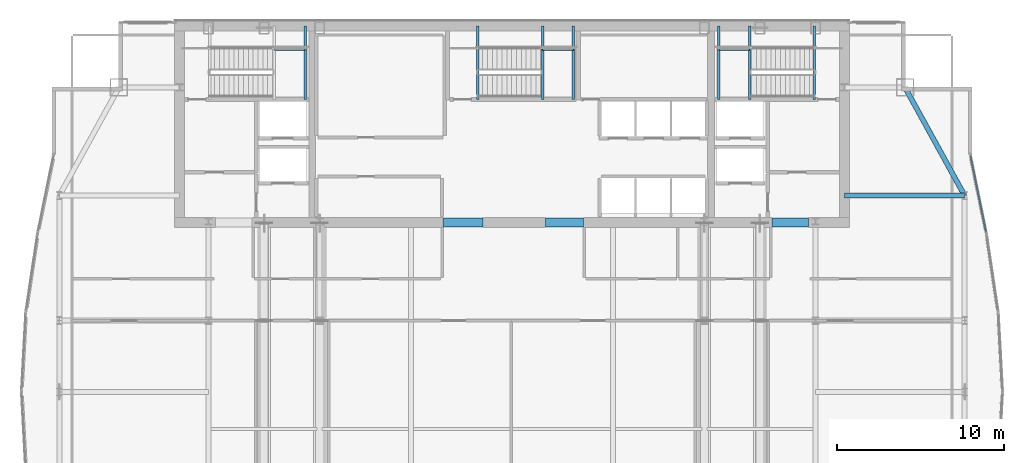
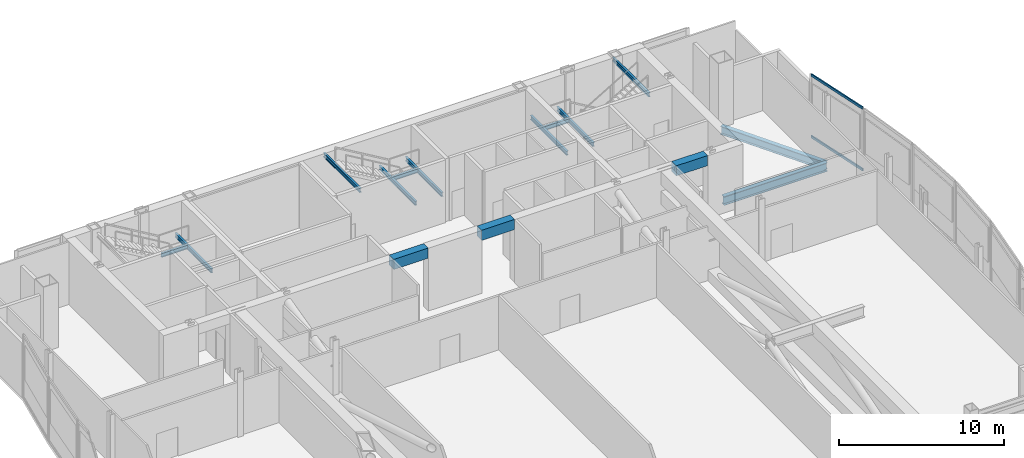
# One storey, part 24 of 32: 15 beams, 2 members, 1 element without a shape of its own.
"""IFC4 building model written with IfcOpenShell, lengths in metres."""

import ifcopenshell
import ifcopenshell.guid

model = None  # the IFC model being written
_history = None  # IfcOwnerHistory: only IFC2X3 demands one
_inside = {}  # id of a spatial element -> (the spatial element, [elements in it])
_under = {}  # id of a project, library or spatial element -> (it, [spatial elements below it])
_declared = {}  # id of a project -> (the project, [libraries it declares])
_typed = {}  # id of a type object -> (the type object, [elements of that type])
_made_of = {}  # id of a material, layer set ... -> (it, [elements and type objects made of it])


def new_model(schema):
    """Start an empty IFC model of exactly this schema.

    Asked for "IFC4X3", IfcOpenShell would pick the latest addendum, in which some entities
    have other attributes; the version numbers below select the first issue.
    IFC2X3 requires an IfcOwnerHistory on every rooted entity: one is made here for all.
    """
    global model, _history
    if schema == "IFC4X3":
        model = ifcopenshell.file(schema_version=(4, 3, 0, 0))
    else:
        model = ifcopenshell.file(schema=schema)
    _inside.clear()
    _under.clear()
    _declared.clear()
    _typed.clear()
    _made_of.clear()
    _history = None
    if model.schema == "IFC2X3":
        org = make("IfcOrganization", Name="unknown")
        user = make(
            "IfcPersonAndOrganization",
            ThePerson=make("IfcPerson", FamilyName="unknown"),
            TheOrganization=org,
        )
        app = make(
            "IfcApplication",
            ApplicationDeveloper=org,
            Version="unknown",
            ApplicationFullName="unknown",
            ApplicationIdentifier="unknown",
        )
        _history = make(
            "IfcOwnerHistory",
            OwningUser=user,
            OwningApplication=app,
            ChangeAction="ADDED",
            CreationDate=0,
        )
    return model


def make(cls, **values):
    """One entity of the class cls with the attributes given. An attribute that is None is left unset."""
    return model.create_entity(
        cls, **{name: value for name, value in values.items() if value is not None}
    )


def rooted(cls, **values):
    """An entity with a GlobalId (a new one), such as an element, a storey or a relation."""
    return make(cls, GlobalId=ifcopenshell.guid.new(), OwnerHistory=_history, **values)


def si_unit(unit_type, name, prefix=None):
    """IfcSIUnit, for example si_unit("LENGTHUNIT", "METRE", prefix="MILLI")."""
    return make("IfcSIUnit", UnitType=unit_type, Prefix=prefix, Name=name)


def assignment(units):
    """IfcUnitAssignment: the units of a project."""
    return None if units is None else make("IfcUnitAssignment", Units=units)


def point(xyz):
    """IfcCartesianPoint."""
    return None if xyz is None else make("IfcCartesianPoint", Coordinates=xyz)


def direction(xyz):
    """IfcDirection."""
    return None if xyz is None else make("IfcDirection", DirectionRatios=xyz)


def frame(location, z_axis=None, x_axis=None):
    """IfcAxis2Placement3D, a coordinate frame: its origin and axes. An axis left out is left unset."""
    return make(
        "IfcAxis2Placement3D",
        Location=point(location),
        Axis=direction(z_axis),
        RefDirection=direction(x_axis),
    )


def frame_2d(location, x_axis=None):
    """IfcAxis2Placement2D, a coordinate frame in the plane: its origin and x axis."""
    return make(
        "IfcAxis2Placement2D", Location=point(location), RefDirection=direction(x_axis)
    )


def origin():
    """The frame at (0, 0, 0) with its axes left unset."""
    return frame((0.0, 0.0, 0.0))


def origin_2d():
    """The frame at (0, 0) in the plane with its x axis left unset."""
    return frame_2d((0.0, 0.0))


def place(relative_to, where):
    """IfcLocalPlacement: puts the frame where relative to a parent placement (None: the world)."""
    return make(
        "IfcLocalPlacement", PlacementRelTo=relative_to, RelativePlacement=where
    )


def context(
    kind, dimensions, precision=None, world=None, true_north=None, identifier=None
):
    """IfcGeometricRepresentationContext, for example the 3D "Model" context."""
    return make(
        "IfcGeometricRepresentationContext",
        ContextIdentifier=identifier,
        ContextType=kind,
        CoordinateSpaceDimension=dimensions,
        Precision=precision,
        WorldCoordinateSystem=world,
        TrueNorth=true_north,
    )


def subcontext(parent, identifier, kind, view, scale=None):
    """IfcGeometricRepresentationSubContext, for example "Body" below "Model"."""
    return make(
        "IfcGeometricRepresentationSubContext",
        ContextIdentifier=identifier,
        ContextType=kind,
        ParentContext=parent,
        TargetScale=scale,
        TargetView=view,
    )


def project(units=None, contexts=None):
    """IfcProject with its units and contexts."""
    return rooted(
        "IfcProject",
        Name="project",
        RepresentationContexts=contexts,
        UnitsInContext=assignment(units),
    )


def spatial(cls, under=None, at=None, **own):
    """A site, building, storey or space (cls), placed at a placement, below another one or the project."""
    s = rooted(cls, ObjectPlacement=at, **own)
    if under is not None:
        _under.setdefault(under.id(), (under, []))[1].append(s)
    return s


def profile(cls, at=None, kind="AREA", **sizes):
    """A parametric profile (cls). Its sizes go by their IFC names, for example OverallWidth=200.0."""
    return make(cls, ProfileType=kind, Position=at, **sizes)


def rectangle(**sizes):
    """IfcRectangleProfileDef."""
    return profile("IfcRectangleProfileDef", **sizes)


def hollow_rectangle(**sizes):
    """IfcRectangleHollowProfileDef."""
    return profile("IfcRectangleHollowProfileDef", **sizes)


def i_section(**sizes):
    """IfcIShapeProfileDef."""
    return profile("IfcIShapeProfileDef", **sizes)


def extrude(swept, where, along, depth):
    """IfcExtrudedAreaSolid: the profile swept, set in the frame where, extruded along a direction by depth."""
    return make(
        "IfcExtrudedAreaSolid",
        SweptArea=swept,
        Position=where,
        ExtrudedDirection=direction(along),
        Depth=depth,
    )


def shape(context_of_items, identifier, shape_type, items):
    """IfcShapeRepresentation: the items that make up one representation, for example the "Body"."""
    return make(
        "IfcShapeRepresentation",
        ContextOfItems=context_of_items,
        RepresentationIdentifier=identifier,
        RepresentationType=shape_type,
        Items=items,
    )


def material(Name=None, Category=None):
    """IfcMaterial."""
    return make("IfcMaterial", Name=Name, Category=Category)


def material_profile(
    of_material, cross_section, Name=None, Category=None, Priority=None
):
    """IfcMaterialProfile: a cross section and its material."""
    return make(
        "IfcMaterialProfile",
        Name=Name,
        Material=of_material,
        Profile=cross_section,
        Priority=Priority,
        Category=Category,
    )


def profile_set(profiles, Name=None, composite=None):
    """IfcMaterialProfileSet."""
    return make(
        "IfcMaterialProfileSet",
        Name=Name,
        MaterialProfiles=profiles,
        CompositeProfile=composite,
    )


def made_of(thing, what):
    """Note that an element or type object is made of a material, layer set ...; save() writes the relation."""
    if what is not None:
        _made_of.setdefault(what.id(), (what, []))[1].append(thing)
    return thing


def type_object(cls, material=None, **own):
    """A type object (cls), such as IfcWallType, which elements share."""
    return made_of(rooted(cls, **own), material)


def element(
    cls,
    number,
    at=None,
    inside=None,
    cuts=None,
    type_object=None,
    material=None,
    context=None,
    identifier="Body",
    shape_type=None,
    held_by="IfcProductDefinitionShape",
    body=None,
    shapes=None,
    **own,
):
    """One element of the class cls, such as IfcWall. Its Tag is "e" and its number.

    at: its placement. inside: the storey or other place that contains it. cuts: it is an
    opening in that element (IfcRelVoidsElement). A single representation is given by context,
    identifier, shape_type and body (its items); several are given by shapes. held_by: the class
    of the entity that holds the representations. save() writes the other relations.
    """
    e = rooted(cls, Tag="e%d" % number, ObjectPlacement=at, **own)
    if body is not None:
        shapes = [shape(context, identifier, shape_type, body)]
    if shapes is not None:
        e.Representation = make(held_by, Representations=shapes)
    if inside is not None:
        _inside.setdefault(inside.id(), (inside, []))[1].append(e)
    if cuts is not None:
        rooted(
            "IfcRelVoidsElement", RelatingBuildingElement=cuts, RelatedOpeningElement=e
        )
    if type_object is not None:
        _typed.setdefault(type_object.id(), (type_object, []))[1].append(e)
    return made_of(e, material)


def aggregate(whole, parts):
    """IfcRelAggregates: a whole, such as a stair, and the parts it consists of."""
    return rooted("IfcRelAggregates", RelatingObject=whole, RelatedObjects=parts)


def save(model, path):
    """Write the relations noted so far, then the file.

    IfcRelAggregates (storeys below a building ...), IfcRelContainedInSpatialStructure (elements
    in a storey), IfcRelDefinesByType, IfcRelAssociatesMaterial and IfcRelDeclares: one each for
    every whole, place, type object, material and project.
    """
    for whole, parts in _under.values():
        aggregate(whole, parts)
    for where, things in _inside.values():
        rooted(
            "IfcRelContainedInSpatialStructure",
            RelatedElements=things,
            RelatingStructure=where,
        )
    for kind, things in _typed.values():
        rooted("IfcRelDefinesByType", RelatedObjects=things, RelatingType=kind)
    for what, things in _made_of.values():
        rooted("IfcRelAssociatesMaterial", RelatedObjects=things, RelatingMaterial=what)
    for by, libraries in _declared.values():
        rooted("IfcRelDeclares", RelatingContext=by, RelatedDefinitions=libraries)
    model.write(path)


model = new_model("IFC4")

# Units and contexts
model_context = context("Model", 3, precision=1e-05, world=origin(), true_north=direction((0.0, 1.0)))
body_context = subcontext(model_context, "Body", "Model", "MODEL_VIEW")
ifc_project = project(units=[si_unit("LENGTHUNIT", "METRE"), si_unit("AREAUNIT", "SQUARE_METRE"), si_unit("VOLUMEUNIT", "CUBIC_METRE"), si_unit("PLANEANGLEUNIT", "RADIAN"), si_unit("MASSUNIT", "GRAM", prefix="KILO")], contexts=[model_context])

# Site, building, storey
site_placement = place(None, origin())
site = spatial("IfcSite", under=ifc_project, at=site_placement, CompositionType="ELEMENT")
building_placement = place(site_placement, origin())
building = spatial("IfcBuilding", under=site, at=building_placement, Name="Khoronbel Lancet Exchange", CompositionType="ELEMENT")
storey_placement = place(building_placement, frame((0.0, 0.0, 257.0)))
storey = spatial("IfcBuildingStorey", under=building, at=storey_placement, Name="L66", CompositionType="ELEMENT", Elevation=257.0)

# Beams
ifc_material_1 = material(Name="Steel S355", Category="steel")
ifc_material_profile_1 = material_profile(ifc_material_1, i_section(OverallWidth=0.300048828125, OverallDepth=0.64990234375, WebThickness=0.01611328125, FlangeThickness=0.031005859375, at=origin_2d()), Name="HEB 650")
ifc_profile_set_1 = profile_set([ifc_material_profile_1], Name="Steel S355")
beam_type_1 = type_object("IfcBeamType", Name="BM-BG4", PredefinedType="BEAM", material=ifc_profile_set_1)
beam_1_placement = place(storey_placement, frame((56.39990234375, 43.199951171875, -0.544921875), z_axis=(1.0, 0.0, 0.0), x_axis=(0.0, 1.0, 0.0)))
element("IfcBeam", 1, at=beam_1_placement, inside=storey, type_object=beam_type_1, Name="Level L66 east lens tie girder LG3E", PredefinedType="BEAM", context=body_context, shape_type="SweptSolid", body=[
    extrude(i_section(OverallWidth=0.300048828125, OverallDepth=0.64990234375, WebThickness=0.01611328125, FlangeThickness=0.031005859375, at=origin_2d()), origin(), (0.0, 0.0, 1.0), 7.22998046875),
])
ifc_material_profile_2 = material_profile(ifc_material_1, i_section(OverallWidth=0.14990234375, OverallDepth=0.300048828125, WebThickness=0.007080078125, FlangeThickness=0.0107421875, at=origin_2d()), Name="IPE 300")
ifc_profile_set_2 = profile_set([ifc_material_profile_2], Name="Steel S355")
beam_type_2 = type_object("IfcBeamType", Name="BM-BJ8", PredefinedType="JOIST", material=ifc_profile_set_2)
beam_2_placement = place(storey_placement, frame((24.030029296875, 48.97998046875, 2.050048828125), z_axis=(0.0, 1.0, 0.0), x_axis=(-1.0, 0.0, 0.0)))
element("IfcBeam", 2, at=beam_2_placement, inside=storey, type_object=beam_type_2, Name="Level L66 stair ST1 rear landing bearer beam 1", PredefinedType="JOIST", context=body_context, shape_type="SweptSolid", body=[
    extrude(i_section(OverallWidth=0.14990234375, OverallDepth=0.300048828125, WebThickness=0.007080078125, FlangeThickness=0.0107421875, at=origin_2d()), origin(), (0.0, 0.0, 1.0), 4.419921875),
])
beam_3_placement = place(storey_placement, frame((22.18994140625, 51.97998046875, 2.050048828125), z_axis=(1.0, 0.0, 0.0), x_axis=(0.0, 1.0, 0.0)))
element("IfcBeam", 3, at=beam_3_placement, inside=storey, type_object=beam_type_2, Name="Level L66 stair ST1 landing cross trimmer beam 1", PredefinedType="JOIST", context=body_context, shape_type="SweptSolid", body=[
    extrude(i_section(OverallWidth=0.14990234375, OverallDepth=0.300048828125, WebThickness=0.007080078125, FlangeThickness=0.0107421875, at=origin_2d()), origin(), (0.0, 0.0, 1.0), 1.840087890625),
])
for number, where, z_axis, x_axis, name in (
    (4, (50.7099609375, 48.97998046875, 2.050048828125), (0.0, 1.0, 0.0), (-1.0, 0.0, 0.0), "Level L66 stair ST2 landing bearer beam 1"),
    (5, (48.8701171875, 48.97998046875, 2.050048828125), (0.0, 1.0, 0.0), (-1.0, 0.0, 0.0), "Level L66 stair ST2 rear landing bearer beam 1"),
):
    element("IfcBeam", number, at=place(storey_placement, frame(where, z_axis=z_axis, x_axis=x_axis)), inside=storey, type_object=beam_type_2, Name=name, PredefinedType="JOIST", context=body_context, shape_type="SweptSolid", body=[
        extrude(i_section(OverallWidth=0.14990234375, OverallDepth=0.300048828125, WebThickness=0.007080078125, FlangeThickness=0.0107421875, at=origin_2d()), origin(), (0.0, 0.0, 1.0), 4.419921875),
    ])
beam_4_placement = place(storey_placement, frame((48.8701171875, 51.97998046875, 2.050048828125), z_axis=(1.0, 0.0, 0.0), x_axis=(0.0, 1.0, 0.0)))
element("IfcBeam", 6, at=beam_4_placement, inside=storey, type_object=beam_type_2, Name="Level L66 stair ST2 landing cross trimmer beam 1", PredefinedType="JOIST", context=body_context, shape_type="SweptSolid", body=[
    extrude(i_section(OverallWidth=0.14990234375, OverallDepth=0.300048828125, WebThickness=0.007080078125, FlangeThickness=0.0107421875, at=origin_2d()), origin(), (0.0, 0.0, 1.0), 1.83984375),
])
for number, where, z_axis, x_axis, name in (
    (7, (54.60009765625, 48.97998046875, 4.360107421875), (0.0, 1.0, 0.0), (-1.0, 0.0, 0.0), "Level L66 stair ST2 upper-flight arrival trimmer beam"),
    (8, (38.2900390625, 48.97998046875, 2.050048828125), (0.0, 1.0, 0.0), (-1.0, 0.0, 0.0), "Level L66 stair ST3 landing bearer beam 1"),
    (9, (40.1298828125, 48.97998046875, 2.050048828125), (0.0, 1.0, 0.0), (-1.0, 0.0, 0.0), "Level L66 stair ST3 rear landing bearer beam 1"),
):
    element("IfcBeam", number, at=place(storey_placement, frame(where, z_axis=z_axis, x_axis=x_axis)), inside=storey, type_object=beam_type_2, Name=name, PredefinedType="JOIST", context=body_context, shape_type="SweptSolid", body=[
        extrude(i_section(OverallWidth=0.14990234375, OverallDepth=0.300048828125, WebThickness=0.007080078125, FlangeThickness=0.0107421875, at=origin_2d()), origin(), (0.0, 0.0, 1.0), 4.419921875),
    ])
beam_5_placement = place(storey_placement, frame((38.2900390625, 51.97998046875, 2.050048828125), z_axis=(1.0, 0.0, 0.0), x_axis=(0.0, 1.0, 0.0)))
element("IfcBeam", 10, at=beam_5_placement, inside=storey, type_object=beam_type_2, Name="Level L66 stair ST3 landing cross trimmer beam 1", PredefinedType="JOIST", context=body_context, shape_type="SweptSolid", body=[
    extrude(i_section(OverallWidth=0.14990234375, OverallDepth=0.300048828125, WebThickness=0.007080078125, FlangeThickness=0.0107421875, at=origin_2d()), origin(), (0.0, 0.0, 1.0), 1.83984375),
])
beam_6_placement = place(storey_placement, frame((34.39990234375, 48.97998046875, 4.360107421875), z_axis=(0.0, 1.0, 0.0), x_axis=(-1.0, 0.0, 0.0)))
element("IfcBeam", 11, at=beam_6_placement, inside=storey, type_object=beam_type_2, Name="Level L66 stair ST3 upper-flight arrival trimmer beam", PredefinedType="JOIST", context=body_context, shape_type="SweptSolid", body=[
    extrude(i_section(OverallWidth=0.14990234375, OverallDepth=0.300048828125, WebThickness=0.007080078125, FlangeThickness=0.0107421875, at=origin_2d()), origin(), (0.0, 0.0, 1.0), 4.419921875),
])
ifc_material_2 = material(Name="Concrete C60/75", Category="concrete")
ifc_material_profile_3 = material_profile(ifc_material_2, rectangle(XDim=0.550048828125, YDim=0.75, at=origin_2d()), Name="RC 550x750")
ifc_profile_set_3 = profile_set([ifc_material_profile_3], Name="Concrete C60/75")
beam_type_3 = type_object("IfcBeamType", Name="BM-BL2", PredefinedType="LINTEL", material=ifc_profile_set_3)
beam_7_placement = place(storey_placement, frame((32.300048828125, 41.60009765625, 4.264892578125), z_axis=(1.0, 0.0, 0.0), x_axis=(0.0, 1.0, 0.0)))
element("IfcBeam", 12, at=beam_7_placement, inside=storey, type_object=beam_type_3, Name="Level L66 rear core coupling lintel L2", PredefinedType="LINTEL", context=body_context, shape_type="SweptSolid", body=[
    extrude(rectangle(XDim=0.550048828125, YDim=0.75, at=origin_2d()), origin(), (0.0, 0.0, 1.0), 2.39990234375),
])
beam_8_placement = place(storey_placement, frame((38.449951171875, 41.60009765625, 4.264892578125), z_axis=(1.0, 0.0, 0.0), x_axis=(0.0, 1.0, 0.0)))
element("IfcBeam", 13, at=beam_8_placement, inside=storey, type_object=beam_type_3, Name="Level L66 rear core coupling lintel L3", PredefinedType="LINTEL", context=body_context, shape_type="SweptSolid", body=[
    extrude(rectangle(XDim=0.550048828125, YDim=0.75, at=origin_2d()), origin(), (0.0, 0.0, 1.0), 2.300048828125),
])
beam_9_placement = place(storey_placement, frame((52.050048828125, 41.60009765625, 4.264892578125), z_axis=(1.0, 0.0, 0.0), x_axis=(0.0, 1.0, 0.0)))
element("IfcBeam", 14, at=beam_9_placement, inside=storey, type_object=beam_type_3, Name="Level L66 rear core coupling lintel L4", PredefinedType="LINTEL", context=body_context, shape_type="SweptSolid", body=[
    extrude(rectangle(XDim=0.550048828125, YDim=0.75, at=origin_2d()), origin(), (0.0, 0.0, 1.0), 2.199951171875),
])
ifc_material_profile_4 = material_profile(ifc_material_1, i_section(OverallWidth=0.300048828125, OverallDepth=0.60009765625, WebThickness=0.015380859375, FlangeThickness=0.030029296875, at=origin_2d()), Name="HEB 600")
ifc_profile_set_4 = profile_set([ifc_material_profile_4], Name="Steel S355")
beam_type_4 = type_object("IfcBeamType", Name="BM-BSP2", PredefinedType="SPANDREL", material=ifc_profile_set_4)
beam_10_placement = place(storey_placement, frame((63.6298828125, 43.199951171875, -0.52001953125), z_axis=(-0.482418808117, 0.875940690672, 0.0), x_axis=(-0.875940690672, -0.482418808117, 0.0)))
element("IfcBeam", 15, at=beam_10_placement, inside=storey, type_object=beam_type_4, Name="Level L66 perimeter spandrel beam SP15", PredefinedType="SPANDREL", context=body_context, shape_type="SweptSolid", body=[
    extrude(i_section(OverallWidth=0.300048828125, OverallDepth=0.60009765625, WebThickness=0.015380859375, FlangeThickness=0.030029296875, at=origin_2d()), origin(), (0.0, 0.0, 1.0), 7.420654296875),
])

# Curtain wall, members
ifc_material_3 = material(Name="Low-E Solar Control Insulating Glass", Category="glass")
curtain_wall_type = type_object("IfcCurtainWallType", Name="CW-4", PredefinedType="NOTDEFINED", material=ifc_material_3)
curtain_wall_placement = place(storey_placement, origin())
curtain_wall = element("IfcCurtainWall", 16, at=curtain_wall_placement, inside=storey, type_object=curtain_wall_type, Name="Unitised curtain wall CW-L66-E17", PredefinedType="NOTDEFINED")
ifc_material_4 = material(Name="Bronze-Anodised Aluminium 6063-T6", Category="aluminium")
ifc_material_profile_5 = material_profile(ifc_material_4, hollow_rectangle(XDim=0.0849609375, YDim=0.179931640625, WallThickness=0.0048828125, at=origin_2d()), Name="ALU TRANSOM 85x180")
ifc_profile_set_5 = profile_set([ifc_material_profile_5], Name="Bronze-Anodised Aluminium 6063-T6")
member_type = type_object("IfcMemberType", Name="MEM-CWT1", PredefinedType="USERDEFINED", material=ifc_profile_set_5)
member_1_placement = place(storey_placement, frame((63.97509765625, 45.617431640625, 0.04248046875), z_axis=(0.20004642992, -0.9797864185, 0.0), x_axis=(0.9797864185, 0.20004642992, 0.0)))
member_1 = element("IfcMember", 17, at=member_1_placement, type_object=member_type, Name="CW4 transom 1.1", ObjectType="TRANSOM", PredefinedType="USERDEFINED", context=body_context, shape_type="SweptSolid", body=[
    extrude(hollow_rectangle(XDim=0.0849609375, YDim=0.179931640625, WallThickness=0.0048828125, at=origin_2d()), origin(), (0.0, 0.0, 1.0), 4.704833984375),
])
member_2_placement = place(storey_placement, frame((63.97509765625, 45.617431640625, 4.597412109375), z_axis=(0.20004642992, -0.9797864185, 0.0), x_axis=(0.9797864185, 0.20004642992, 0.0)))
member_2 = element("IfcMember", 18, at=member_2_placement, type_object=member_type, Name="CW4 transom 1.2", ObjectType="TRANSOM", PredefinedType="USERDEFINED", context=body_context, shape_type="SweptSolid", body=[
    extrude(hollow_rectangle(XDim=0.0849609375, YDim=0.179931640625, WallThickness=0.0048828125, at=origin_2d()), origin(), (0.0, 0.0, 1.0), 4.704833984375),
])
aggregate(curtain_wall, [member_1, member_2])

save(model, "model.ifc")
